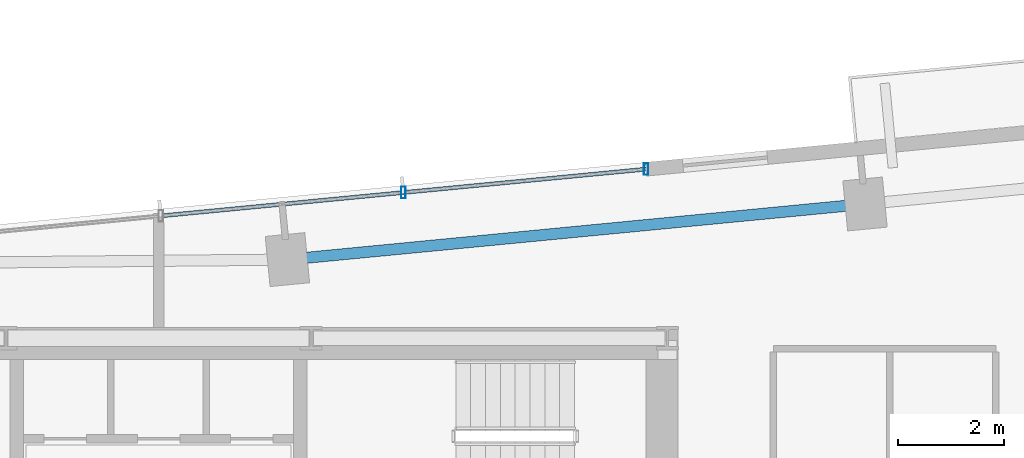
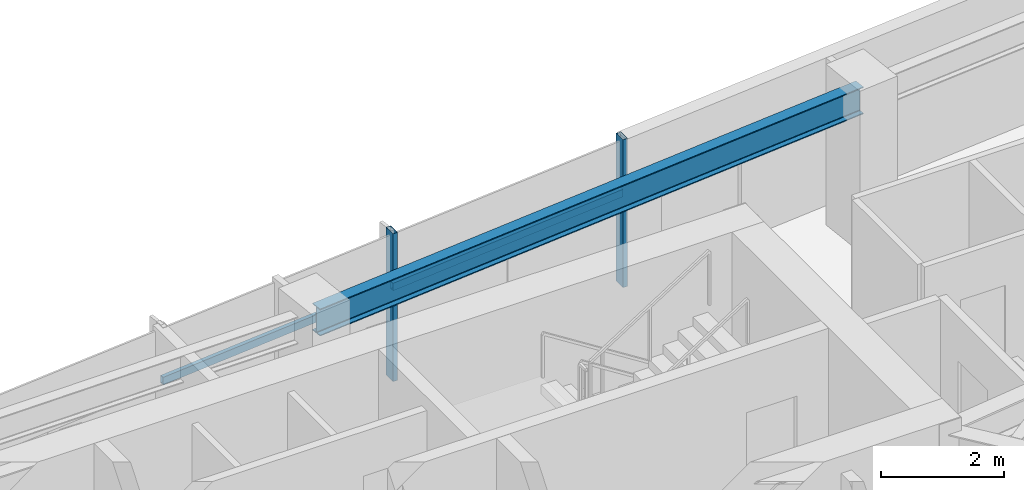
# One storey, part 7 of 18: 4 members, 1 beam, 1 element without a shape of its own.
"""IFC4 building model written with IfcOpenShell, lengths in metres."""

from ifc_helpers import new_model, si_unit, direction, frame, origin, origin_2d, place, context, subcontext, project, spatial, hollow_rectangle, i_section, extrude, source, transform, mapped, material, material_profile, profile_set, type_object, type_shapes, element, aggregate, save


model = new_model("IFC4")

# Units and contexts
model_context = context("Model", 3, precision=1e-05, world=origin(), true_north=direction((0.0, 1.0)))
body_context = subcontext(model_context, "Body", "Model", "MODEL_VIEW")
ifc_project = project(units=[si_unit("LENGTHUNIT", "METRE"), si_unit("AREAUNIT", "SQUARE_METRE"), si_unit("VOLUMEUNIT", "CUBIC_METRE"), si_unit("PLANEANGLEUNIT", "RADIAN"), si_unit("MASSUNIT", "GRAM", prefix="KILO")], contexts=[model_context])

# Site, building, storey
site_placement = place(None, origin())
site = spatial("IfcSite", under=ifc_project, at=site_placement, CompositionType="ELEMENT")
building_placement = place(site_placement, origin())
building = spatial("IfcBuilding", under=site, at=building_placement, Name="Astriad Promenade Condominiums", CompositionType="ELEMENT")
storey_placement = place(building_placement, frame((0.0, 0.0, 205.0)))
storey = spatial("IfcBuildingStorey", under=building, at=storey_placement, Name="L59", CompositionType="ELEMENT", Elevation=205.0)

# Beam
ifc_material_1 = material(Name="Steel ASTM A992 Grade 50", Category="steel")
ifc_material_profile_1 = material_profile(ifc_material_1, i_section(OverallWidth=0.210693359375, OverallDepth=0.53955078125, WebThickness=0.01171875, FlangeThickness=0.018798828125, FilletRadius=0.0166015625, at=origin_2d()), Name="W21X73")
ifc_profile_set_1 = profile_set([ifc_material_profile_1], Name="Steel ASTM A992 Grade 50")
beam_type = type_object("IfcBeamType", Name="STEEL SPANDREL BEAM W21X73", PredefinedType="SPANDREL", material=ifc_profile_set_1)
shared_shape_1 = source(origin(), body_context, "Body", "SweptSolid", [
    extrude(i_section(OverallWidth=0.210693359375, OverallDepth=0.53955078125, WebThickness=0.01171875, FlangeThickness=0.018798828125, FilletRadius=0.0166015625, at=origin_2d()), origin(), (0.0, 0.0, 1.0), 10.869873046875),
])
type_shapes(beam_type, [shared_shape_1])
beam_placement = place(storey_placement, frame((49.291015625, 26.52880859375, 2.67041015625), z_axis=(-0.995394779798, -0.09586048378, 0.0), x_axis=(0.09586048378, -0.995394779798, 0.0)))
element("IfcBeam", 1, at=beam_placement, inside=storey, type_object=beam_type, Name="Perimeter Spandrel Beam SP-N3-L59", PredefinedType="SPANDREL", context=body_context, shape_type="MappedRepresentation", body=[
    mapped(shared_shape_1, transform((0.0, 0.0, 0.0), scale=1.0)),
])

# Curtain wall, members
ifc_material_2 = material(Name="Anodised aluminium Black Dark Glass Unitised", Category="aluminium")
curtain_wall_type = type_object("IfcCurtainWallType", Name="CW-B34-DARK", PredefinedType="USERDEFINED", material=ifc_material_2)
curtain_wall_placement = place(storey_placement, origin())
curtain_wall = element("IfcCurtainWall", 2, at=curtain_wall_placement, inside=storey, type_object=curtain_wall_type, Name="CW-L59-N", ObjectType="UNITISED_CURTAIN_WALL", PredefinedType="USERDEFINED")
ifc_material_3 = material(Name="Anodised aluminium 6063-T6 Black", Category="aluminium")
ifc_material_profile_2 = material_profile(ifc_material_3, hollow_rectangle(XDim=0.0849609375, YDim=0.219970703125, WallThickness=0.0048828125, at=origin_2d()), Name="ALU-MUL-85X220")
ifc_profile_set_2 = profile_set([ifc_material_profile_2], Name="Anodised aluminium 6063-T6 Black")
member_type_1 = type_object("IfcMemberType", Name="MUL-ALU-MUL-85X220", PredefinedType="MULLION", material=ifc_profile_set_2)
shared_shape_2 = source(origin(), body_context, "Body", "SweptSolid", [
    extrude(hollow_rectangle(XDim=0.0849609375, YDim=0.219970703125, WallThickness=0.0048828125, at=origin_2d()), origin(), (0.0, 0.0, 1.0), 2.93994140625),
])
type_shapes(member_type_1, [shared_shape_2])
member_1_placement = place(storey_placement, frame((40.6201171875, 26.748779296875, 0.0), z_axis=(0.0, 0.0, 1.0), x_axis=(1.0, 0.0, 0.0)))
member_1 = element("IfcMember", 3, at=member_1_placement, type_object=member_type_1, Name="CW-L59-N-MUL-02", PredefinedType="MULLION", context=body_context, shape_type="MappedRepresentation", body=[
    mapped(shared_shape_2, transform((0.0, 0.0, 0.0), scale=1.0)),
])
member_2_placement = place(storey_placement, frame((45.198974609375, 27.189697265625, 0.0), z_axis=(0.0, 0.0, 1.0), x_axis=(1.0, 0.0, 0.0)))
member_2 = element("IfcMember", 4, at=member_2_placement, type_object=member_type_1, Name="CW-L59-N-MUL-03", PredefinedType="MULLION", context=body_context, shape_type="MappedRepresentation", body=[
    mapped(shared_shape_2, transform((0.0, 0.0, 0.0), scale=1.0)),
])
ifc_material_profile_3 = material_profile(ifc_material_3, hollow_rectangle(XDim=0.074951171875, YDim=0.14990234375, WallThickness=0.004150390625, at=origin_2d()), Name="ALU-TRN-75X150")
ifc_profile_set_3 = profile_set([ifc_material_profile_3], Name="Anodised aluminium 6063-T6 Black")
member_type_2 = type_object("IfcMemberType", Name="TRN-ALU-TRN-75X150", PredefinedType="USERDEFINED", material=ifc_profile_set_3)
shared_shape_3 = source(origin(), body_context, "Body", "SweptSolid", [
    extrude(hollow_rectangle(XDim=0.074951171875, YDim=0.14990234375, WallThickness=0.004150390625, at=origin_2d()), origin(), (0.0, 0.0, 1.0), 4.60009765625),
])
type_shapes(member_type_2, [shared_shape_3])
member_3_placement = place(storey_placement, frame((36.041259765625, 26.307861328125, 1.82275390625), z_axis=(0.995395697572, 0.095850953336, 0.0), x_axis=(-0.095850953336, 0.995395697572, 0.0)))
member_3 = element("IfcMember", 5, at=member_3_placement, type_object=member_type_2, Name="CW-L59-N-TRN-01-0", ObjectType="TRANSOM", PredefinedType="USERDEFINED", context=body_context, shape_type="MappedRepresentation", body=[
    mapped(shared_shape_3, transform((0.0, 0.0, 0.0), scale=1.0)),
])
member_4_placement = place(storey_placement, frame((40.6201171875, 26.748779296875, 1.82275390625), z_axis=(0.995395697572, 0.095850953336, 0.0), x_axis=(-0.095850953336, 0.995395697572, 0.0)))
member_4 = element("IfcMember", 6, at=member_4_placement, type_object=member_type_2, Name="CW-L59-N-TRN-02-0", ObjectType="TRANSOM", PredefinedType="USERDEFINED", context=body_context, shape_type="MappedRepresentation", body=[
    mapped(shared_shape_3, transform((0.0, 0.0, 0.0), scale=1.0)),
])
aggregate(curtain_wall, [member_1, member_2, member_3, member_4])

save(model, "model.ifc")
